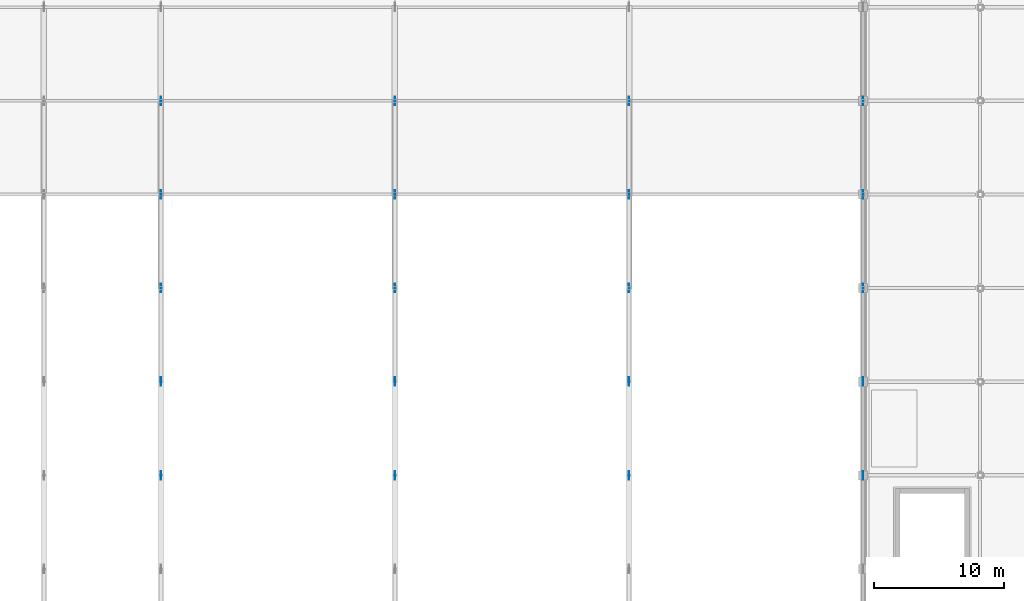
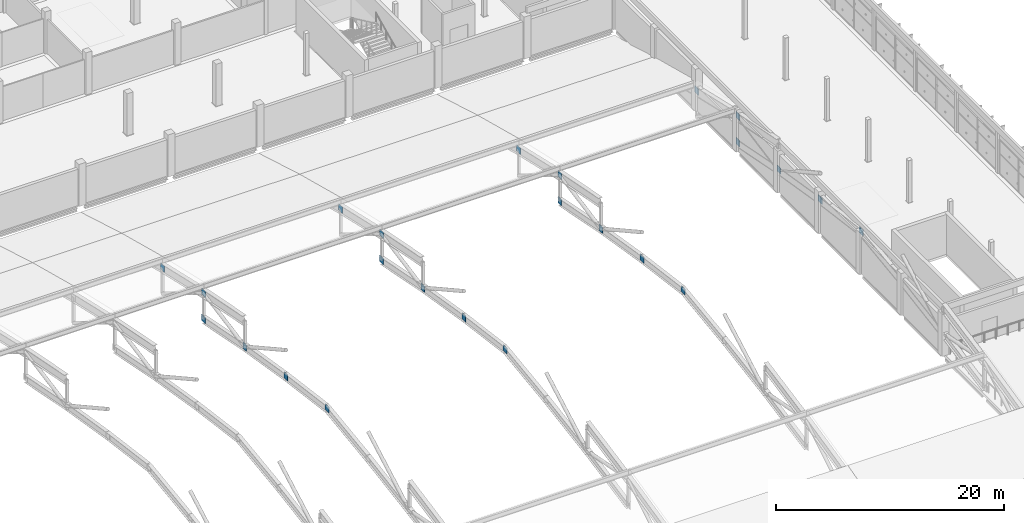
# One storey, part 87 of 124: 24 plates.
"""IFC4 building model written with IfcOpenShell, lengths in metres."""

from ifc_helpers import new_model, si_unit, direction, frame, origin, origin_2d, place, context, subcontext, project, spatial, rectangle, extrude, material, layer, layer_set, type_object, element, save


model = new_model("IFC4")

# Units and contexts
model_context = context("Model", 3, precision=1e-05, world=origin(), true_north=direction((0.0, 1.0)))
body_context = subcontext(model_context, "Body", "Model", "MODEL_VIEW")
ifc_project = project(units=[si_unit("LENGTHUNIT", "METRE"), si_unit("AREAUNIT", "SQUARE_METRE"), si_unit("VOLUMEUNIT", "CUBIC_METRE"), si_unit("PLANEANGLEUNIT", "RADIAN"), si_unit("MASSUNIT", "GRAM", prefix="KILO")], contexts=[model_context])

# Site, building, storey
site_placement = place(None, origin())
site = spatial("IfcSite", under=ifc_project, at=site_placement, CompositionType="ELEMENT")
building_placement = place(site_placement, origin())
building = spatial("IfcBuilding", under=site, at=building_placement, Name="Celestram Park Convention Centre", CompositionType="ELEMENT")
storey_placement = place(building_placement, frame((0.0, 0.0, 15.300048828125)))
storey = spatial("IfcBuildingStorey", under=building, at=storey_placement, Name="L03", CompositionType="ELEMENT", Elevation=15.300048828125)

# Plates
ifc_material = material(Name="Steel ASTM A572 Grade 50", Category="steel")
ifc_layer = layer(ifc_material, 0.050048828125)
ifc_layer_set = layer_set([ifc_layer], Name="Steel ASTM A572 Grade 50")
plate_type = type_object("IfcPlateType", Name="STR-PLT-GP50", PredefinedType="USERDEFINED", material=ifc_layer_set)
for number, where, z_axis, x_axis, name in (
    (1, (72.0, 64.800048828125, 4.00341796875), (0.0, 0.0, 1.0), (0.0, 1.0, 0.0), "V1 truss node gusset plate"),
    (2, (72.0, 72.0, 3.045166015625), (0.0, 0.0, 1.0), (0.0, 1.0, 0.0), "V1 truss node gusset plate"),
    (3, (72.0, 79.199951171875, 1.856689453125), (0.0, 0.0, 1.0), (0.0, 1.0, 0.0), "V1 truss node gusset plate"),
    (4, (72.0, 86.39990234375, 3.238525390625), (0.0, 0.0, 1.0), (0.0, 1.0, 0.0), "V1 truss node gusset plate"),
    (5, (72.0, 86.39990234375, 0.4384765625), (0.0, 0.0, 1.0), (0.0, 1.0, 0.0), "V1 truss node gusset plate"),
    (6, (72.0, 93.60009765625, 1.590087890625), (0.0, 0.0, 1.0), (0.0, 1.0, 0.0), "V1 truss node gusset plate"),
    (7, (90.0, 64.800048828125, 4.00341796875), (0.0, 0.0, 1.0), (0.0, 1.0, 0.0), "V1 truss node gusset plate"),
    (8, (90.0, 72.0, 3.045166015625), (0.0, 0.0, 1.0), (0.0, 1.0, 0.0), "V1 truss node gusset plate"),
    (9, (90.0, 79.199951171875, 1.856689453125), (0.0, 0.0, 1.0), (0.0, 1.0, 0.0), "V1 truss node gusset plate"),
    (10, (90.0, 86.39990234375, 3.238525390625), (0.0, 0.0, 1.0), (0.0, 1.0, 0.0), "V1 truss node gusset plate"),
    (11, (90.0, 86.39990234375, 0.4384765625), (0.0, 0.0, 1.0), (0.0, 1.0, 0.0), "V1 truss node gusset plate"),
    (12, (90.0, 93.60009765625, 1.590087890625), (0.0, 0.0, 1.0), (0.0, 1.0, 0.0), "V1 truss node gusset plate"),
    (13, (108.0, 64.800048828125, 4.00341796875), (0.0, 0.0, 1.0), (0.0, 1.0, 0.0), "V1 truss node gusset plate"),
    (14, (108.0, 72.0, 3.045166015625), (0.0, 0.0, 1.0), (0.0, 1.0, 0.0), "V1 truss node gusset plate"),
    (15, (108.0, 79.199951171875, 1.856689453125), (0.0, 0.0, 1.0), (0.0, 1.0, 0.0), "V1 truss node gusset plate"),
    (16, (108.0, 86.39990234375, 3.238525390625), (0.0, 0.0, 1.0), (0.0, 1.0, 0.0), "V1 truss node gusset plate"),
    (17, (108.0, 86.39990234375, 0.4384765625), (0.0, 0.0, 1.0), (0.0, 1.0, 0.0), "V1 truss node gusset plate"),
    (18, (108.0, 93.60009765625, 1.590087890625), (0.0, 0.0, 1.0), (0.0, 1.0, 0.0), "V1 truss node gusset plate"),
    (19, (126.0, 64.800048828125, 4.00341796875), (0.0, 0.0, 1.0), (0.0, 1.0, 0.0), "V1 truss node gusset plate"),
    (20, (126.0, 72.0, 3.045166015625), (0.0, 0.0, 1.0), (0.0, 1.0, 0.0), "V1 truss node gusset plate"),
    (21, (126.0, 79.199951171875, 1.856689453125), (0.0, 0.0, 1.0), (0.0, 1.0, 0.0), "V1 truss node gusset plate"),
    (22, (126.0, 86.39990234375, 3.238525390625), (0.0, 0.0, 1.0), (0.0, 1.0, 0.0), "V1 truss node gusset plate"),
    (23, (126.0, 86.39990234375, 0.4384765625), (0.0, 0.0, 1.0), (0.0, 1.0, 0.0), "V1 truss node gusset plate"),
    (24, (126.0, 93.60009765625, 1.590087890625), (0.0, 0.0, 1.0), (0.0, 1.0, 0.0), "V1 truss node gusset plate"),
):
    element("IfcPlate", number, at=place(storey_placement, frame(where, z_axis=z_axis, x_axis=x_axis)), inside=storey, type_object=plate_type, Name=name, ObjectType="GUSSET_PLATE", PredefinedType="USERDEFINED", context=body_context, shape_type="SweptSolid", body=[
        extrude(rectangle(XDim=0.64990234375, YDim=0.050048828125, at=origin_2d()), origin(), (0.0, 0.0, 1.0), 0.64990234375),
    ])

save(model, "model.ifc")
